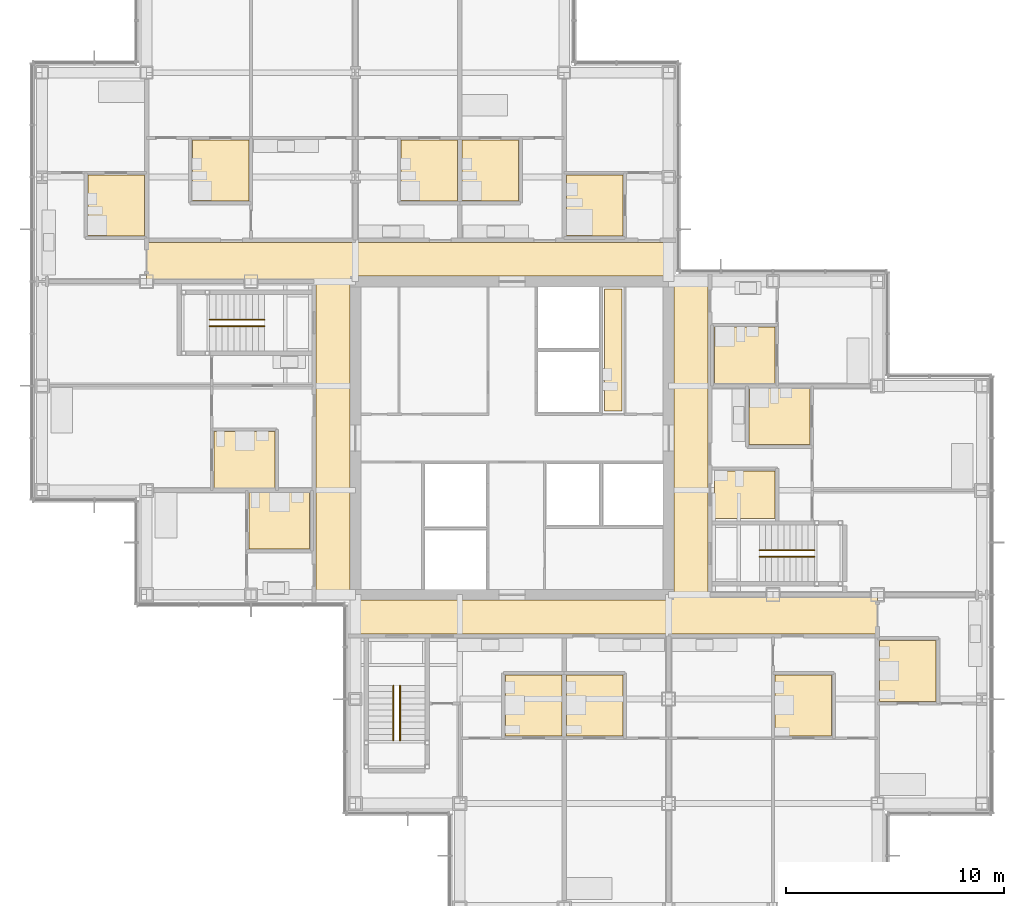
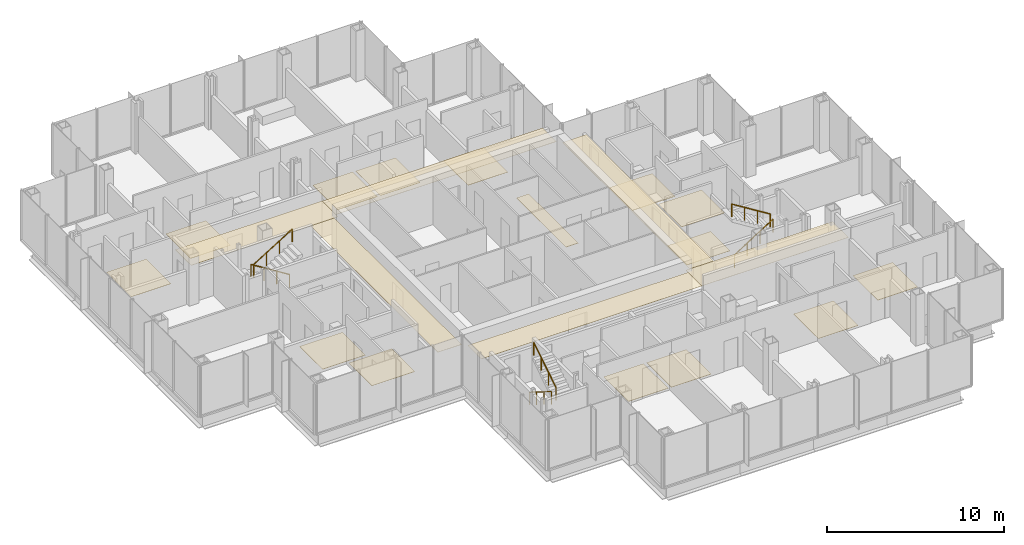
# One storey, part 17 of 19: 21 coverings, 6 railings.
"""IFC4 building model written with IfcOpenShell, lengths in metres."""

from ifc_helpers import new_model, si_unit, direction, frame, origin, origin_2d, place, context, subcontext, project, spatial, polyline, circle, outline, extrude, material, layer, layer_set, type_object, element, save


model = new_model("IFC4")

# Units and contexts
model_context = context("Model", 3, precision=1e-05, world=origin(), true_north=direction((0.0, 1.0)))
body_context = subcontext(model_context, "Body", "Model", "MODEL_VIEW")
ifc_project = project(units=[si_unit("LENGTHUNIT", "METRE"), si_unit("AREAUNIT", "SQUARE_METRE"), si_unit("VOLUMEUNIT", "CUBIC_METRE"), si_unit("PLANEANGLEUNIT", "RADIAN"), si_unit("MASSUNIT", "GRAM", prefix="KILO")], contexts=[model_context])

# Site, building, storey
site_placement = place(None, origin())
site = spatial("IfcSite", under=ifc_project, at=site_placement, CompositionType="ELEMENT")
building_placement = place(site_placement, origin())
building = spatial("IfcBuilding", under=site, at=building_placement, Name="Kvirike Care Tower", CompositionType="ELEMENT")
storey_placement = place(building_placement, frame((0.0, 0.0, 98.0)))
storey = spatial("IfcBuildingStorey", under=building, at=storey_placement, Name="L26", CompositionType="ELEMENT", Elevation=98.0)

# Coverings
ifc_material_1 = material(Name="Perforated metal ceiling tile", Category="aluminium")
ifc_layer_1 = layer(ifc_material_1, 0.014892578125)
ifc_layer_set_1 = layer_set([ifc_layer_1], Name="CORRIDOR CEILING 15")
covering_type_1 = type_object("IfcCoveringType", Name="CORRIDOR CEILING 15", PredefinedType="CEILING", material=ifc_layer_set_1)
covering_1_placement = place(storey_placement, frame((0.0, 0.0, 2.5)))
element("IfcCovering", 1, at=covering_1_placement, inside=storey, type_object=covering_type_1, Name="Corridor ceiling L26", PredefinedType="CEILING", context=body_context, shape_type="SweptSolid", body=[
    extrude(outline(polyline([(12.60009765625, 43.199951171875), (14.14990234375, 43.199951171875), (14.14990234375, 28.800048828125), (12.60009765625, 28.800048828125), (12.60009765625, 43.199951171875)])), origin(), (0.0, 0.0, 1.0), 0.014892578125),
])
covering_2_placement = place(storey_placement, frame((0.0, 0.0, 2.5)))
element("IfcCovering", 2, at=covering_2_placement, inside=storey, type_object=covering_type_1, Name="Corridor ceiling L26", PredefinedType="CEILING", context=body_context, shape_type="SweptSolid", body=[
    extrude(outline(polyline([(14.39990234375, 45.0), (14.39990234375, 43.199951171875), (4.800048828125, 43.199951171875), (4.800048828125, 45.0), (14.39990234375, 45.0)])), origin(), (0.0, 0.0, 1.0), 0.014892578125),
])
covering_3_placement = place(storey_placement, frame((0.0, 0.0, 2.5)))
element("IfcCovering", 3, at=covering_3_placement, inside=storey, type_object=covering_type_1, Name="Corridor ceiling L26", PredefinedType="CEILING", context=body_context, shape_type="SweptSolid", body=[
    extrude(outline(polyline([(14.39990234375, 27.0), (14.39990234375, 28.550048828125), (28.800048828125, 28.550048828125), (28.800048828125, 27.0), (14.39990234375, 27.0)])), origin(), (0.0, 0.0, 1.0), 0.014892578125),
])
covering_4_placement = place(storey_placement, frame((0.0, 0.0, 2.5)))
element("IfcCovering", 4, at=covering_4_placement, inside=storey, type_object=covering_type_1, Name="Corridor ceiling L26", PredefinedType="CEILING", context=body_context, shape_type="SweptSolid", body=[
    extrude(outline(polyline([(28.800048828125, 45.0), (28.800048828125, 43.449951171875), (14.39990234375, 43.449951171875), (14.39990234375, 45.0), (28.800048828125, 45.0)])), origin(), (0.0, 0.0, 1.0), 0.014892578125),
])
covering_5_placement = place(storey_placement, frame((0.0, 0.0, 2.5)))
element("IfcCovering", 5, at=covering_5_placement, inside=storey, type_object=covering_type_1, Name="Corridor ceiling L26", PredefinedType="CEILING", context=body_context, shape_type="SweptSolid", body=[
    extrude(outline(polyline([(28.800048828125, 27.0), (28.800048828125, 28.800048828125), (38.39990234375, 28.800048828125), (38.39990234375, 27.0), (28.800048828125, 27.0)])), origin(), (0.0, 0.0, 1.0), 0.014892578125),
])
covering_6_placement = place(storey_placement, frame((0.0, 0.0, 2.5)))
element("IfcCovering", 6, at=covering_6_placement, inside=storey, type_object=covering_type_1, Name="Corridor ceiling L26", PredefinedType="CEILING", context=body_context, shape_type="SweptSolid", body=[
    extrude(outline(polyline([(30.60009765625, 28.800048828125), (29.050048828125, 28.800048828125), (29.050048828125, 43.199951171875), (30.60009765625, 43.199951171875), (30.60009765625, 28.800048828125)])), origin(), (0.0, 0.0, 1.0), 0.014892578125),
])

# Railings
ifc_material_2 = material(Name="Stainless steel handrail", Category="steel")
railing_type = type_object("IfcRailingType", Name="STAIR HANDRAIL 900", PredefinedType="HANDRAIL", material=ifc_material_2)
railing_1_placement = place(storey_placement, frame((10.219970703125, 41.449951171875, 0.175048828125)))
element("IfcRailing", 7, at=railing_1_placement, inside=storey, type_object=railing_type, Name="Stair 1 handrail L26 flight 1", PredefinedType="HANDRAIL", context=body_context, shape_type="SweptSolid", body=[
    extrude(circle(Radius=0.02490234375, at=origin_2d()), frame((0.0, 0.0, 0.875), z_axis=(-0.848007534815, 0.0, 0.529984170421), x_axis=(0.0, -1.0, 0.0)), (0.0, 0.0, 1.0), 2.9716796875),
    extrude(circle(Radius=0.02001953125, at=origin_2d()), origin(), (0.0, 0.0, 1.0), 0.849853515625),
    extrude(circle(Radius=0.02001953125, at=origin_2d()), frame((-0.840087890625, 0.0, 0.52490234375)), (0.0, 0.0, 1.0), 0.849853515625),
    extrude(circle(Radius=0.02001953125, at=origin_2d()), frame((-1.679931640625, 0.0, 1.050048828125)), (0.0, 0.0, 1.0), 0.849853515625),
    extrude(circle(Radius=0.02001953125, at=origin_2d()), frame((-2.52001953125, 0.0, 1.574951171875)), (0.0, 0.0, 1.0), 0.849853515625),
])
for number, where, name in (
    (8, (7.699951171875, 41.14990234375, 1.925048828125), "Stair 1 handrail L26 flight 2"),
    (9, (32.97998046875, 30.550048828125, 0.175048828125), "Stair 2 handrail L26 flight 1"),
):
    element("IfcRailing", number, at=place(storey_placement, frame(where)), inside=storey, type_object=railing_type, Name=name, PredefinedType="HANDRAIL", context=body_context, shape_type="SweptSolid", body=[
        extrude(circle(Radius=0.02490234375, at=origin_2d()), frame((0.0, 0.0, 0.875), z_axis=(0.848007534815, 0.0, 0.529984170421), x_axis=(0.0, 1.0, 0.0)), (0.0, 0.0, 1.0), 2.9716796875),
        extrude(circle(Radius=0.02001953125, at=origin_2d()), origin(), (0.0, 0.0, 1.0), 0.849853515625),
        extrude(circle(Radius=0.02001953125, at=origin_2d()), frame((0.840087890625, 0.0, 0.52490234375)), (0.0, 0.0, 1.0), 0.849853515625),
        extrude(circle(Radius=0.02001953125, at=origin_2d()), frame((1.679931640625, 0.0, 1.050048828125)), (0.0, 0.0, 1.0), 0.849853515625),
        extrude(circle(Radius=0.02001953125, at=origin_2d()), frame((2.52001953125, 0.0, 1.574951171875)), (0.0, 0.0, 1.0), 0.849853515625),
    ])
railing_2_placement = place(storey_placement, frame((35.5, 30.85009765625, 1.925048828125)))
element("IfcRailing", 10, at=railing_2_placement, inside=storey, type_object=railing_type, Name="Stair 2 handrail L26 flight 2", PredefinedType="HANDRAIL", context=body_context, shape_type="SweptSolid", body=[
    extrude(circle(Radius=0.02490234375, at=origin_2d()), frame((0.0, 0.0, 0.875), z_axis=(-0.848007534815, 0.0, 0.529984170421), x_axis=(0.0, -1.0, 0.0)), (0.0, 0.0, 1.0), 2.9716796875),
    extrude(circle(Radius=0.02001953125, at=origin_2d()), origin(), (0.0, 0.0, 1.0), 0.849853515625),
    extrude(circle(Radius=0.02001953125, at=origin_2d()), frame((-0.840087890625, 0.0, 0.52490234375)), (0.0, 0.0, 1.0), 0.849853515625),
    extrude(circle(Radius=0.02001953125, at=origin_2d()), frame((-1.679931640625, 0.0, 1.050048828125)), (0.0, 0.0, 1.0), 0.849853515625),
    extrude(circle(Radius=0.02001953125, at=origin_2d()), frame((-2.52001953125, 0.0, 1.574951171875)), (0.0, 0.0, 1.0), 0.849853515625),
])
railing_3_placement = place(storey_placement, frame((16.14990234375, 24.6201171875, 0.175048828125)))
element("IfcRailing", 11, at=railing_3_placement, inside=storey, type_object=railing_type, Name="Stair 5 handrail L26 flight 1", PredefinedType="HANDRAIL", context=body_context, shape_type="SweptSolid", body=[
    extrude(circle(Radius=0.02490234375, at=origin_2d()), frame((0.0, 0.0, 0.875), z_axis=(0.0, -0.848007534815, 0.529984170421), x_axis=(1.0, 0.0, 0.0)), (0.0, 0.0, 1.0), 2.9716796875),
    extrude(circle(Radius=0.02001953125, at=origin_2d()), origin(), (0.0, 0.0, 1.0), 0.849853515625),
    extrude(circle(Radius=0.02001953125, at=origin_2d()), frame((0.0, -0.840087890625, 0.52490234375)), (0.0, 0.0, 1.0), 0.849853515625),
    extrude(circle(Radius=0.02001953125, at=origin_2d()), frame((0.0, -1.679931640625, 1.050048828125)), (0.0, 0.0, 1.0), 0.849853515625),
    extrude(circle(Radius=0.02001953125, at=origin_2d()), frame((0.0, -2.52001953125, 1.574951171875)), (0.0, 0.0, 1.0), 0.849853515625),
])
railing_4_placement = place(storey_placement, frame((16.449951171875, 22.10009765625, 1.925048828125)))
element("IfcRailing", 12, at=railing_4_placement, inside=storey, type_object=railing_type, Name="Stair 5 handrail L26 flight 2", PredefinedType="HANDRAIL", context=body_context, shape_type="SweptSolid", body=[
    extrude(circle(Radius=0.02490234375, at=origin_2d()), frame((0.0, 0.0, 0.875), z_axis=(0.0, 0.848007534815, 0.529984170421), x_axis=(-1.0, 0.0, 0.0)), (0.0, 0.0, 1.0), 2.9716796875),
    extrude(circle(Radius=0.02001953125, at=origin_2d()), origin(), (0.0, 0.0, 1.0), 0.849853515625),
    extrude(circle(Radius=0.02001953125, at=origin_2d()), frame((0.0, 0.840087890625, 0.52490234375)), (0.0, 0.0, 1.0), 0.849853515625),
    extrude(circle(Radius=0.02001953125, at=origin_2d()), frame((0.0, 1.679931640625, 1.050048828125)), (0.0, 0.0, 1.0), 0.849853515625),
    extrude(circle(Radius=0.02001953125, at=origin_2d()), frame((0.0, 2.52001953125, 1.574951171875)), (0.0, 0.0, 1.0), 0.849853515625),
])

# Coverings
ifc_material_3 = material(Name="Slip-resistant vinyl safety flooring on screed")
ifc_layer_2 = layer(ifc_material_3, 0.02001953125)
ifc_layer_set_2 = layer_set([ifc_layer_2], Name="WET ROOM FLOOR 20")
covering_type_2 = type_object("IfcCoveringType", Name="WET ROOM FLOOR 20", PredefinedType="FLOORING", material=ifc_layer_set_2)
covering_7_placement = place(storey_placement, origin())
element("IfcCovering", 13, at=covering_7_placement, inside=storey, type_object=covering_type_2, Name="En-suite floor L26-005", PredefinedType="FLOORING", context=body_context, shape_type="SweptSolid", body=[
    extrude(outline(polyline([(7.89990234375, 36.300048828125), (10.699951171875, 36.300048828125), (10.699951171875, 33.699951171875), (7.89990234375, 33.699951171875), (7.89990234375, 36.300048828125)])), origin(), (0.0, 0.0, 1.0), 0.02001953125),
])
covering_8_placement = place(storey_placement, origin())
element("IfcCovering", 14, at=covering_8_placement, inside=storey, type_object=covering_type_2, Name="En-suite floor L26-009", PredefinedType="FLOORING", context=body_context, shape_type="SweptSolid", body=[
    extrude(outline(polyline([(9.5, 33.5), (12.300048828125, 33.5), (12.300048828125, 30.89990234375), (9.5, 30.89990234375), (9.5, 33.5)])), origin(), (0.0, 0.0, 1.0), 0.02001953125),
])
covering_9_placement = place(storey_placement, origin())
element("IfcCovering", 15, at=covering_9_placement, inside=storey, type_object=covering_type_2, Name="En-suite floor L26-014", PredefinedType="FLOORING", context=body_context, shape_type="SweptSolid", body=[
    extrude(outline(polyline([(9.5, 49.699951171875), (9.5, 46.89990234375), (6.89990234375, 46.89990234375), (6.89990234375, 49.699951171875), (9.5, 49.699951171875)])), origin(), (0.0, 0.0, 1.0), 0.02001953125),
])
covering_10_placement = place(storey_placement, origin())
element("IfcCovering", 16, at=covering_10_placement, inside=storey, type_object=covering_type_2, Name="En-suite floor L26-018", PredefinedType="FLOORING", context=body_context, shape_type="SweptSolid", body=[
    extrude(outline(polyline([(4.699951171875, 48.10009765625), (4.699951171875, 45.300048828125), (2.10009765625, 45.300048828125), (2.10009765625, 48.10009765625), (4.699951171875, 48.10009765625)])), origin(), (0.0, 0.0, 1.0), 0.02001953125),
])
covering_11_placement = place(storey_placement, origin())
element("IfcCovering", 17, at=covering_11_placement, inside=storey, type_object=covering_type_2, Name="En-suite floor L26-024", PredefinedType="FLOORING", context=body_context, shape_type="SweptSolid", body=[
    extrude(outline(polyline([(21.300048828125, 22.300048828125), (21.300048828125, 25.10009765625), (23.89990234375, 25.10009765625), (23.89990234375, 22.300048828125), (21.300048828125, 22.300048828125)])), origin(), (0.0, 0.0, 1.0), 0.02001953125),
])
covering_12_placement = place(storey_placement, origin())
element("IfcCovering", 18, at=covering_12_placement, inside=storey, type_object=covering_type_2, Name="En-suite floor L26-027", PredefinedType="FLOORING", context=body_context, shape_type="SweptSolid", body=[
    extrude(outline(polyline([(24.10009765625, 22.300048828125), (24.10009765625, 25.10009765625), (26.699951171875, 25.10009765625), (26.699951171875, 22.300048828125), (24.10009765625, 22.300048828125)])), origin(), (0.0, 0.0, 1.0), 0.02001953125),
])
covering_13_placement = place(storey_placement, origin())
element("IfcCovering", 19, at=covering_13_placement, inside=storey, type_object=covering_type_2, Name="Assisted bathroom floor L26-031", PredefinedType="FLOORING", context=body_context, shape_type="SweptSolid", body=[
    extrude(outline(polyline([(26.699951171875, 48.10009765625), (26.699951171875, 45.300048828125), (24.10009765625, 45.300048828125), (24.10009765625, 48.10009765625), (26.699951171875, 48.10009765625)])), origin(), (0.0, 0.0, 1.0), 0.02001953125),
])
covering_14_placement = place(storey_placement, origin())
element("IfcCovering", 20, at=covering_14_placement, inside=storey, type_object=covering_type_2, Name="En-suite floor L26-034", PredefinedType="FLOORING", context=body_context, shape_type="SweptSolid", body=[
    extrude(outline(polyline([(21.89990234375, 49.699951171875), (21.89990234375, 46.89990234375), (19.300048828125, 46.89990234375), (19.300048828125, 49.699951171875), (21.89990234375, 49.699951171875)])), origin(), (0.0, 0.0, 1.0), 0.02001953125),
])
covering_15_placement = place(storey_placement, origin())
element("IfcCovering", 21, at=covering_15_placement, inside=storey, type_object=covering_type_2, Name="En-suite floor L26-037", PredefinedType="FLOORING", context=body_context, shape_type="SweptSolid", body=[
    extrude(outline(polyline([(19.10009765625, 49.699951171875), (19.10009765625, 46.89990234375), (16.5, 46.89990234375), (16.5, 49.699951171875), (19.10009765625, 49.699951171875)])), origin(), (0.0, 0.0, 1.0), 0.02001953125),
])
covering_16_placement = place(storey_placement, origin())
element("IfcCovering", 22, at=covering_16_placement, inside=storey, type_object=covering_type_2, Name="En-suite floor L26-042", PredefinedType="FLOORING", context=body_context, shape_type="SweptSolid", body=[
    extrude(outline(polyline([(33.699951171875, 22.300048828125), (33.699951171875, 25.10009765625), (36.300048828125, 25.10009765625), (36.300048828125, 22.300048828125), (33.699951171875, 22.300048828125)])), origin(), (0.0, 0.0, 1.0), 0.02001953125),
])
covering_17_placement = place(storey_placement, origin())
element("IfcCovering", 23, at=covering_17_placement, inside=storey, type_object=covering_type_2, Name="En-suite floor L26-046", PredefinedType="FLOORING", context=body_context, shape_type="SweptSolid", body=[
    extrude(outline(polyline([(38.5, 23.89990234375), (38.5, 26.699951171875), (41.10009765625, 26.699951171875), (41.10009765625, 23.89990234375), (38.5, 23.89990234375)])), origin(), (0.0, 0.0, 1.0), 0.02001953125),
])
covering_18_placement = place(storey_placement, origin())
element("IfcCovering", 24, at=covering_18_placement, inside=storey, type_object=covering_type_2, Name="Accessible WC floor L26-052", PredefinedType="FLOORING", context=body_context, shape_type="SweptSolid", body=[
    extrude(outline(polyline([(33.699951171875, 32.300048828125), (30.89990234375, 32.300048828125), (30.89990234375, 34.5), (33.699951171875, 34.5), (33.699951171875, 32.300048828125)])), origin(), (0.0, 0.0, 1.0), 0.02001953125),
])
covering_19_placement = place(storey_placement, origin())
element("IfcCovering", 25, at=covering_19_placement, inside=storey, type_object=covering_type_2, Name="En-suite floor L26-053", PredefinedType="FLOORING", context=body_context, shape_type="SweptSolid", body=[
    extrude(outline(polyline([(35.300048828125, 35.699951171875), (32.5, 35.699951171875), (32.5, 38.300048828125), (35.300048828125, 38.300048828125), (35.300048828125, 35.699951171875)])), origin(), (0.0, 0.0, 1.0), 0.02001953125),
])
covering_20_placement = place(storey_placement, origin())
element("IfcCovering", 26, at=covering_20_placement, inside=storey, type_object=covering_type_2, Name="En-suite floor L26-056", PredefinedType="FLOORING", context=body_context, shape_type="SweptSolid", body=[
    extrude(outline(polyline([(33.699951171875, 38.5), (30.89990234375, 38.5), (30.89990234375, 41.10009765625), (33.699951171875, 41.10009765625), (33.699951171875, 38.5)])), origin(), (0.0, 0.0, 1.0), 0.02001953125),
])
covering_21_placement = place(storey_placement, origin())
element("IfcCovering", 27, at=covering_21_placement, inside=storey, type_object=covering_type_2, Name="Staff WC floor L26-064", PredefinedType="FLOORING", context=body_context, shape_type="SweptSolid", body=[
    extrude(outline(polyline([(26.64990234375, 37.25), (25.85009765625, 37.25), (25.85009765625, 42.85009765625), (26.64990234375, 42.85009765625), (26.64990234375, 37.25)])), origin(), (0.0, 0.0, 1.0), 0.02001953125),
])

save(model, "model.ifc")
